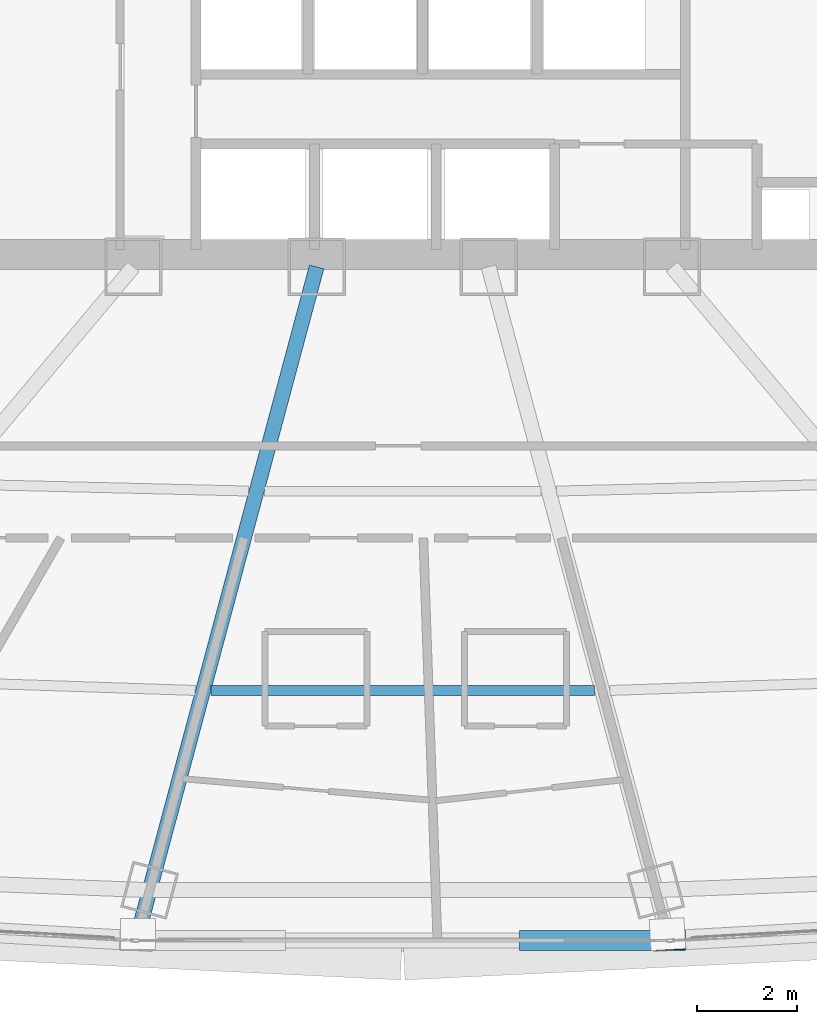
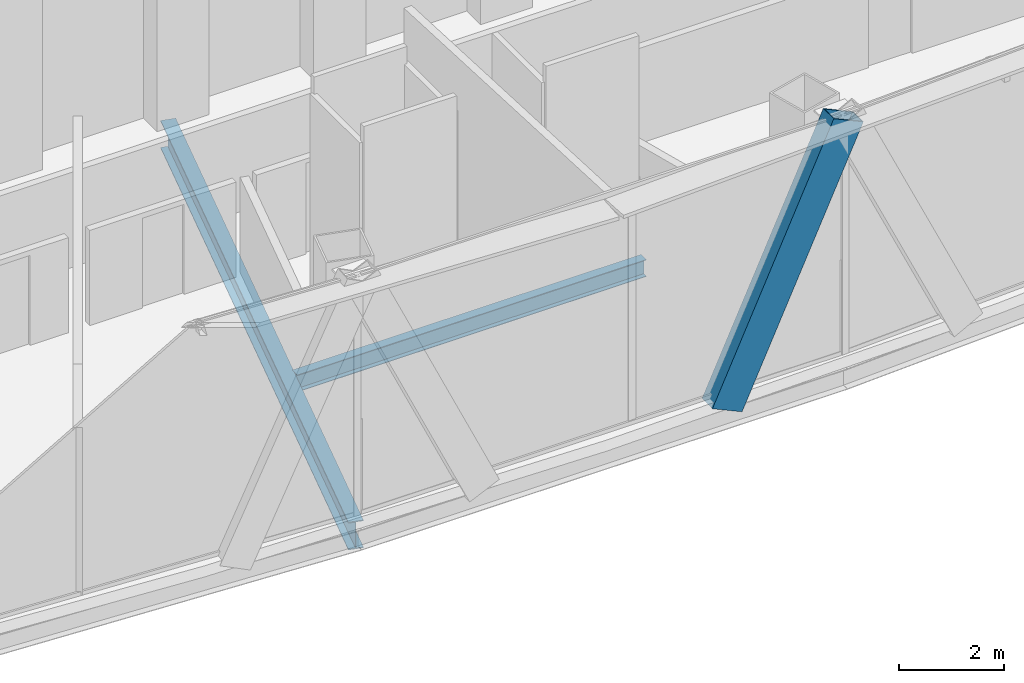
# One storey, part 11 of 40: 2 beams, 1 member.
"""IFC4 building model written with IfcOpenShell, lengths in metres."""

from ifc_helpers import new_model, si_unit, direction, frame, origin, origin_2d, place, context, subcontext, project, spatial, hollow_rectangle, i_section, extrude, source, transform, mapped, material, material_profile, profile_set, type_object, element, save


model = new_model("IFC4")

# Units and contexts
model_context = context("Model", 3, precision=1e-05, world=origin(), true_north=direction((0.0, 1.0)))
body_context = subcontext(model_context, "Body", "Model", "MODEL_VIEW")
ifc_project = project(units=[si_unit("LENGTHUNIT", "METRE"), si_unit("AREAUNIT", "SQUARE_METRE"), si_unit("VOLUMEUNIT", "CUBIC_METRE"), si_unit("PLANEANGLEUNIT", "RADIAN"), si_unit("MASSUNIT", "GRAM", prefix="KILO"), si_unit("THERMODYNAMICTEMPERATUREUNIT", "KELVIN"), si_unit("POWERUNIT", "WATT")], contexts=[model_context])

# Site, building, storey
site_placement = place(None, origin())
site = spatial("IfcSite", under=ifc_project, at=site_placement, CompositionType="ELEMENT")
building_placement = place(site_placement, origin())
building = spatial("IfcBuilding", under=site, at=building_placement, Name="Yunzhuo Pagoda Commons", CompositionType="ELEMENT")
storey_placement = place(building_placement, frame((0.0, 0.0, 170.31005859375)))
storey = spatial("IfcBuildingStorey", under=building, at=storey_placement, Name="L43", CompositionType="ELEMENT", Elevation=170.31005859375)

# Beams
ifc_material = material(Name="Structural steel Q355B", Category="steel")
ifc_material_profile_1 = material_profile(ifc_material, i_section(OverallWidth=0.199951171875, OverallDepth=0.39990234375, WebThickness=0.008056640625, FlangeThickness=0.012939453125, at=origin_2d()), Name="Structural steel Q355B")
ifc_profile_set_1 = profile_set([ifc_material_profile_1], Name="Structural steel Q355B")
beam_type_1 = type_object("IfcBeamType", Name="B-JS1 Joist HN 400x200x8x13", PredefinedType="JOIST", material=ifc_profile_set_1)
shared_shape_1 = source(origin(), body_context, "Body", "SweptSolid", [
    extrude(i_section(OverallWidth=0.199951171875, OverallDepth=0.39990234375, WebThickness=0.008056640625, FlangeThickness=0.012939453125, at=origin_2d()), origin(), (0.0, 0.0, 1.0), 7.7041015625),
])
beam_1_placement = place(storey_placement, frame((44.14794921875, 18.730712890625, -0.4599609375), z_axis=(1.0, 0.0, 0.0), x_axis=(0.0, 1.0, 0.0)))
element("IfcBeam", 1, at=beam_1_placement, inside=storey, type_object=beam_type_1, Name="L43 composite ring joist 2.2", PredefinedType="JOIST", context=body_context, shape_type="MappedRepresentation", body=[
    mapped(shared_shape_1, transform((0.0, 0.0, 0.0), scale=1.0)),
])
ifc_material_profile_2 = material_profile(ifc_material, i_section(OverallWidth=0.300048828125, OverallDepth=0.64990234375, WebThickness=0.012939453125, FlangeThickness=0.02197265625, at=origin_2d()), Name="Structural steel Q355B")
ifc_profile_set_2 = profile_set([ifc_material_profile_2], Name="Structural steel Q355B")
beam_type_2 = type_object("IfcBeamType", Name="B-RG2 Beam HN 650x300x13x22", PredefinedType="BEAM", material=ifc_profile_set_2)
shared_shape_2 = source(origin(), body_context, "Body", "SweptSolid", [
    extrude(i_section(OverallWidth=0.300048828125, OverallDepth=0.64990234375, WebThickness=0.012939453125, FlangeThickness=0.02197265625, at=origin_2d()), origin(), (0.0, 0.0, 1.0), 13.865478515625),
])
beam_2_placement = place(storey_placement, frame((42.683349609375, 13.85693359375, -0.5849609375), z_axis=(0.258816469176, 0.965926516503, 0.0), x_axis=(-0.965926516503, 0.258816469176, 0.0)))
element("IfcBeam", 2, at=beam_2_placement, inside=storey, type_object=beam_type_2, Name="L43 radial floor girder F1C2", PredefinedType="BEAM", context=body_context, shape_type="MappedRepresentation", body=[
    mapped(shared_shape_2, transform((0.0, 0.0, 0.0), scale=1.0)),
])

# Member
ifc_material_profile_3 = material_profile(ifc_material, hollow_rectangle(XDim=0.39990234375, YDim=0.719970703125, WallThickness=0.02392578125, at=origin_2d()), Name="Structural steel Q355B")
ifc_profile_set_3 = profile_set([ifc_material_profile_3], Name="Structural steel Q355B")
member_type = type_object("IfcMemberType", Name="M-DL2 Brace BOX 720x400x24", PredefinedType="BRACE", material=ifc_profile_set_3)
shared_shape_3 = source(origin(), body_context, "Body", "SweptSolid", [
    extrude(hollow_rectangle(XDim=0.39990234375, YDim=0.719970703125, WallThickness=0.02392578125, at=origin_2d()), origin(), (0.0, 0.0, 1.0), 6.415771484375),
])
member_placement = place(storey_placement, frame((50.6787109375, 13.707275390625, -0.260009765625), z_axis=(0.417486584194, 0.0, 0.90868308668), x_axis=(0.0, 1.0, 0.0)))
element("IfcMember", 3, at=member_placement, inside=storey, type_object=member_type, Name="L43 facade diamond brace F1.2R", PredefinedType="BRACE", context=body_context, shape_type="MappedRepresentation", body=[
    mapped(shared_shape_3, transform((0.0, 0.0, 0.0), scale=1.0)),
])

save(model, "model.ifc")
